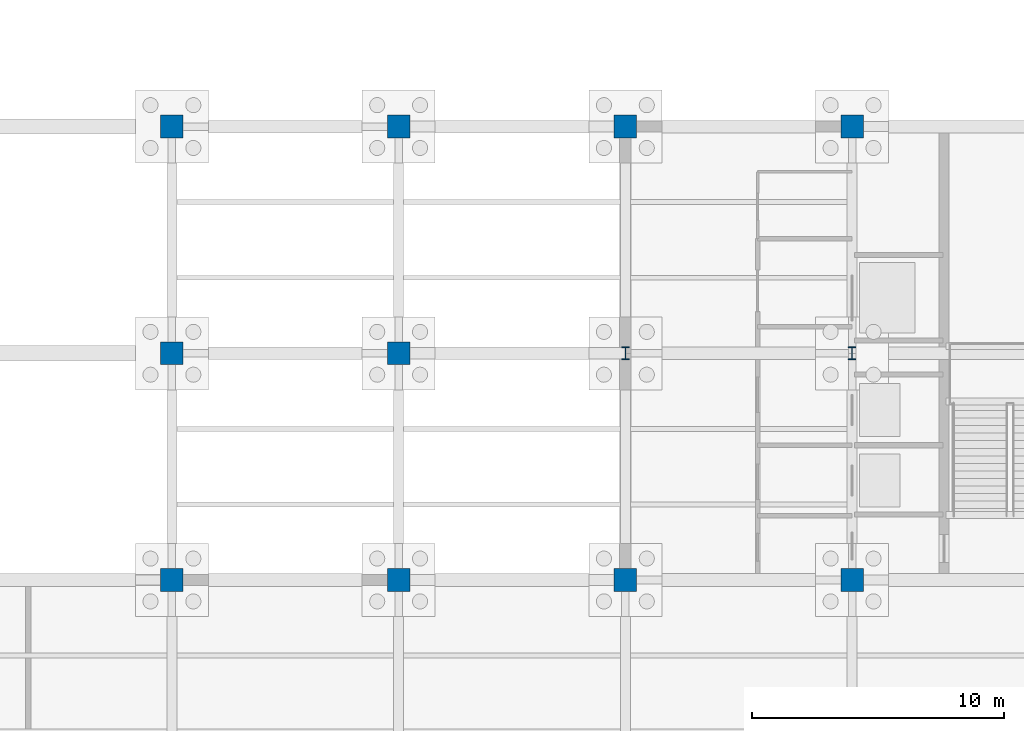
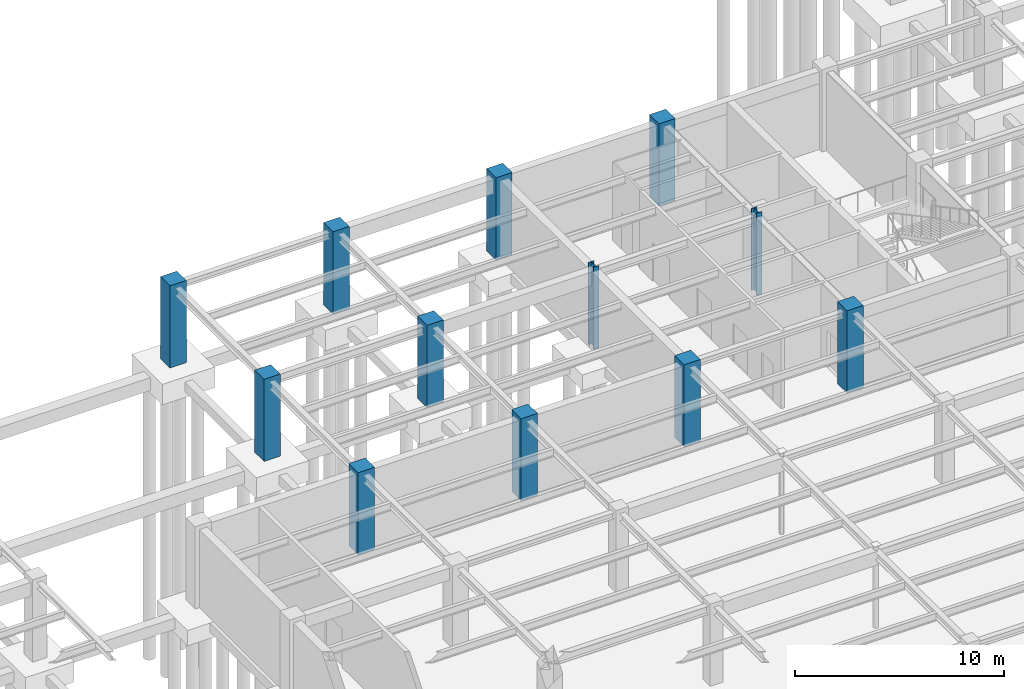
# One storey, part 26 of 49: 12 columns.
"""IFC4 building model written with IfcOpenShell, lengths in metres."""

from ifc_helpers import new_model, si_unit, direction, frame, origin, origin_2d, place, context, subcontext, project, spatial, rectangle, i_section, extrude, material, material_profile, profile_set, type_object, element, save


model = new_model("IFC4")

# Units and contexts
model_context = context("Model", 3, precision=1e-05, world=origin(), true_north=direction((0.0, 1.0)))
body_context = subcontext(model_context, "Body", "Model", "MODEL_VIEW")
ifc_project = project(units=[si_unit("LENGTHUNIT", "METRE"), si_unit("AREAUNIT", "SQUARE_METRE"), si_unit("VOLUMEUNIT", "CUBIC_METRE"), si_unit("PLANEANGLEUNIT", "RADIAN"), si_unit("MASSUNIT", "GRAM", prefix="KILO")], contexts=[model_context])

# Site, building, storey
site_placement = place(None, origin())
site = spatial("IfcSite", under=ifc_project, at=site_placement, CompositionType="ELEMENT")
building_placement = place(site_placement, origin())
building = spatial("IfcBuilding", under=site, at=building_placement, Name="Lykobir Media Centre", CompositionType="ELEMENT")
storey_placement = place(building_placement, frame((0.0, 0.0, -4.800048828125)))
storey = spatial("IfcBuildingStorey", under=building, at=storey_placement, Name="B1", CompositionType="ELEMENT", Elevation=-4.800048828125)

# Columns
ifc_material_1 = material(Name="Concrete C40/50", Category="concrete")
ifc_material_profile_1 = material_profile(ifc_material_1, rectangle(XDim=0.89990234375, YDim=0.89990234375, at=origin_2d()), Name="RC 900x900")
ifc_profile_set_1 = profile_set([ifc_material_profile_1], Name="Concrete C40/50")
column_type_1 = type_object("IfcColumnType", Name="RC-C900", PredefinedType="COLUMN", material=ifc_profile_set_1)
for number, where, z_axis, x_axis, name in (
    (1, (99.0, 72.0, 0.0), (0.0, 0.0, 1.0), (1.0, 0.0, 0.0), "Column COL-B1-0990-0720"),
    (2, (99.0, 81.0, 0.0), (0.0, 0.0, 1.0), (1.0, 0.0, 0.0), "Column COL-B1-0990-0810"),
    (3, (99.0, 90.0, 0.0), (0.0, 0.0, 1.0), (1.0, 0.0, 0.0), "Column COL-B1-0990-0900"),
    (4, (108.0, 72.0, 0.0), (0.0, 0.0, 1.0), (1.0, 0.0, 0.0), "Column COL-B1-1080-0720"),
    (5, (108.0, 81.0, 0.0), (0.0, 0.0, 1.0), (1.0, 0.0, 0.0), "Column COL-B1-1080-0810"),
    (6, (108.0, 90.0, 0.0), (0.0, 0.0, 1.0), (1.0, 0.0, 0.0), "Column COL-B1-1080-0900"),
    (7, (117.0, 72.0, 0.0), (0.0, 0.0, 1.0), (1.0, 0.0, 0.0), "Column COL-B1-1170-0720"),
    (8, (117.0, 90.0, 0.0), (0.0, 0.0, 1.0), (1.0, 0.0, 0.0), "Column COL-B1-1170-0900"),
    (9, (126.0, 72.0, 0.0), (0.0, 0.0, 1.0), (1.0, 0.0, 0.0), "Column COL-B1-1260-0720"),
    (10, (126.0, 90.0, 0.0), (0.0, 0.0, 1.0), (1.0, 0.0, 0.0), "Column COL-B1-1260-0900"),
):
    element("IfcColumn", number, at=place(storey_placement, frame(where, z_axis=z_axis, x_axis=x_axis)), inside=storey, type_object=column_type_1, Name=name, PredefinedType="COLUMN", context=body_context, shape_type="SweptSolid", body=[
        extrude(rectangle(XDim=0.89990234375, YDim=0.89990234375, at=origin_2d()), origin(), (0.0, 0.0, 1.0), 4.800048828125),
    ])
ifc_material_2 = material(Name="Steel S355", Category="steel")
ifc_material_profile_2 = material_profile(ifc_material_2, i_section(OverallWidth=0.300048828125, OverallDepth=0.5, WebThickness=0.014404296875, FlangeThickness=0.028076171875, at=origin_2d()), Name="HEB 500")
ifc_profile_set_2 = profile_set([ifc_material_profile_2], Name="Steel S355")
column_type_2 = type_object("IfcColumnType", Name="SC-HEB500", PredefinedType="COLUMN", material=ifc_profile_set_2)
for number, where, z_axis, x_axis, name in (
    (11, (117.0, 81.0, 0.0), (0.0, 0.0, 1.0), (1.0, 0.0, 0.0), "Column COL-B1-1170-0810"),
    (12, (126.0, 81.0, 0.0), (0.0, 0.0, 1.0), (1.0, 0.0, 0.0), "Column COL-B1-1260-0810"),
):
    element("IfcColumn", number, at=place(storey_placement, frame(where, z_axis=z_axis, x_axis=x_axis)), inside=storey, type_object=column_type_2, Name=name, PredefinedType="COLUMN", context=body_context, shape_type="SweptSolid", body=[
        extrude(i_section(OverallWidth=0.300048828125, OverallDepth=0.5, WebThickness=0.014404296875, FlangeThickness=0.028076171875, at=origin_2d()), origin(), (0.0, 0.0, 1.0), 4.800048828125),
    ])

save(model, "model.ifc")
